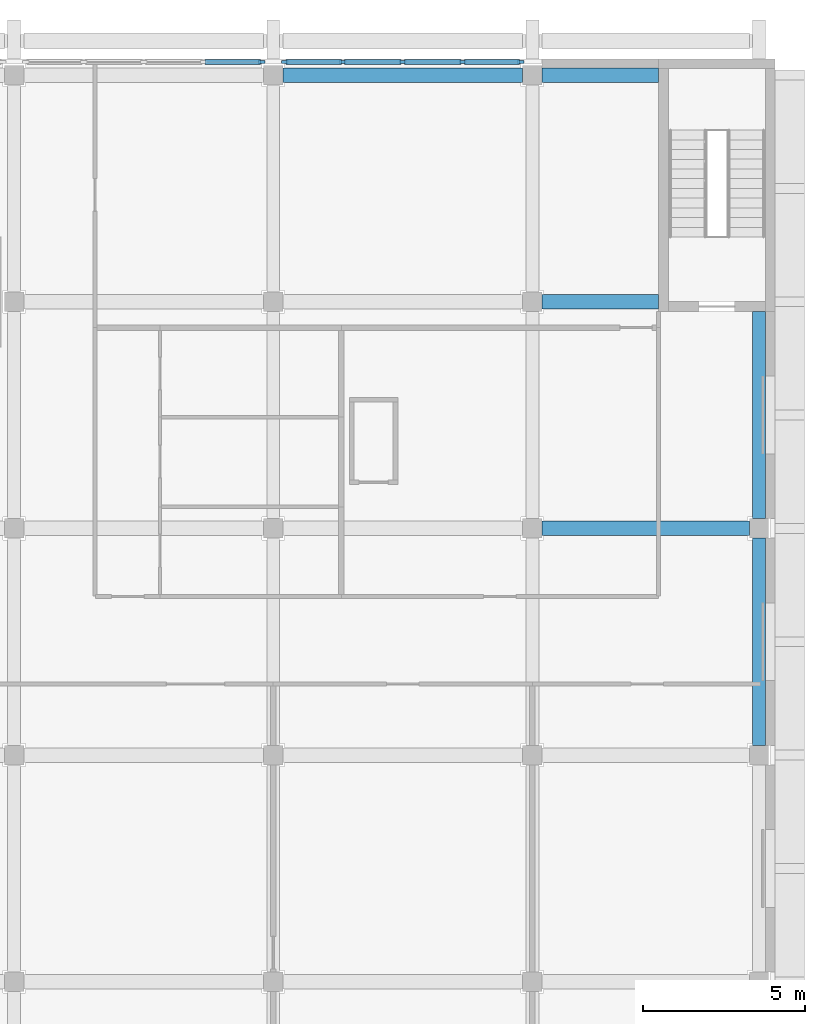
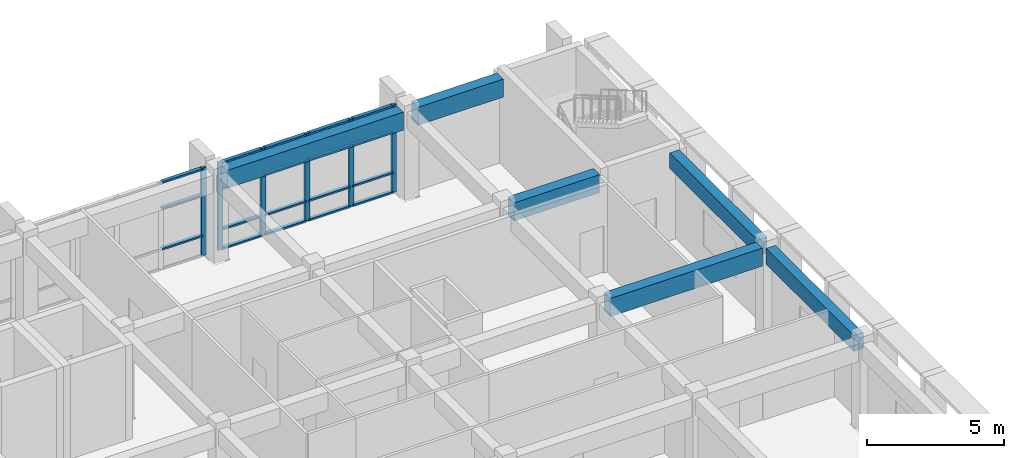
# One storey, part 21 of 43: 25 members, 6 beams, 2 elements without a shape of their own.
"""IFC4 building model written with IfcOpenShell, lengths in metres."""

from ifc_helpers import new_model, si_unit, direction, frame, origin, origin_2d, place, context, subcontext, project, spatial, rectangle, extrude, material, material_profile, profile_set, type_object, element, aggregate, save


model = new_model("IFC4")

# Units and contexts
model_context = context("Model", 3, precision=1e-05, world=origin(), true_north=direction((0.0, 1.0)))
body_context = subcontext(model_context, "Body", "Model", "MODEL_VIEW")
ifc_project = project(units=[si_unit("LENGTHUNIT", "METRE"), si_unit("AREAUNIT", "SQUARE_METRE"), si_unit("VOLUMEUNIT", "CUBIC_METRE"), si_unit("PLANEANGLEUNIT", "RADIAN"), si_unit("MASSUNIT", "GRAM", prefix="KILO")], contexts=[model_context])

# Site, building, storey
site_placement = place(None, origin())
site = spatial("IfcSite", under=ifc_project, at=site_placement, CompositionType="ELEMENT")
building_placement = place(site_placement, origin())
building = spatial("IfcBuilding", under=site, at=building_placement, Name="Elmora Arch Market Hall", CompositionType="ELEMENT")
storey_placement = place(building_placement, frame((0.0, 0.0, 10.199951171875)))
storey = spatial("IfcBuildingStorey", under=building, at=storey_placement, Name="L02", CompositionType="ELEMENT", Elevation=10.199951171875)

# Curtain wall, member
ifc_material_1 = material(Name="Aluminium", Category="aluminium")
curtain_wall_type = type_object("IfcCurtainWallType", Name="School front curtain wall", PredefinedType="NOTDEFINED", material=ifc_material_1)
curtain_wall_1_placement = place(storey_placement, origin())
curtain_wall_1 = element("IfcCurtainWall", 1, at=curtain_wall_1_placement, inside=storey, type_object=curtain_wall_type, Name="School street front L02 3", PredefinedType="NOTDEFINED")
ifc_material_2 = material(Name="Aluminium", Category="aluminium")
ifc_material_profile_1 = material_profile(ifc_material_2, rectangle(XDim=0.10009765625, YDim=0.199951171875, at=origin_2d()), Name="AL 100x200")
ifc_profile_set_1 = profile_set([ifc_material_profile_1], Name="Aluminium")
member_type_1 = type_object("IfcMemberType", Name="Mullion 100x200", PredefinedType="MULLION", material=ifc_profile_set_1)
member_1_placement = place(storey_placement, frame((118.14990234375, 165.89990234375, 0.0), z_axis=(0.0, 0.0, 1.0), x_axis=(0.0, 1.0, 0.0)))
member_1 = element("IfcMember", 2, at=member_1_placement, type_object=member_type_1, Name="CW5 mullion 5", PredefinedType="MULLION", context=body_context, shape_type="SweptSolid", body=[
    extrude(rectangle(XDim=0.10009765625, YDim=0.199951171875, at=origin_2d()), origin(), (0.0, 0.0, 1.0), 3.900146484375),
])

# Curtain wall, members
curtain_wall_2_placement = place(storey_placement, origin())
curtain_wall_2 = element("IfcCurtainWall", 3, at=curtain_wall_2_placement, inside=storey, type_object=curtain_wall_type, Name="School street front L02 4", PredefinedType="NOTDEFINED")
member_2_placement = place(storey_placement, frame((118.85009765625, 165.89990234375, 0.0), z_axis=(0.0, 0.0, 1.0), x_axis=(0.0, 1.0, 0.0)))
member_2 = element("IfcMember", 4, at=member_2_placement, type_object=member_type_1, Name="CW5 mullion 1", PredefinedType="MULLION", context=body_context, shape_type="SweptSolid", body=[
    extrude(rectangle(XDim=0.10009765625, YDim=0.199951171875, at=origin_2d()), origin(), (0.0, 0.0, 1.0), 3.900146484375),
])
member_3_placement = place(storey_placement, frame((120.64990234375, 165.89990234375, 0.0), z_axis=(0.0, 0.0, 1.0), x_axis=(0.0, 1.0, 0.0)))
member_3 = element("IfcMember", 5, at=member_3_placement, type_object=member_type_1, Name="CW5 mullion 2", PredefinedType="MULLION", context=body_context, shape_type="SweptSolid", body=[
    extrude(rectangle(XDim=0.10009765625, YDim=0.199951171875, at=origin_2d()), origin(), (0.0, 0.0, 1.0), 3.900146484375),
])
member_4_placement = place(storey_placement, frame((122.5, 165.89990234375, 0.0), z_axis=(0.0, 0.0, 1.0), x_axis=(0.0, 1.0, 0.0)))
member_4 = element("IfcMember", 6, at=member_4_placement, type_object=member_type_1, Name="CW5 mullion 3", PredefinedType="MULLION", context=body_context, shape_type="SweptSolid", body=[
    extrude(rectangle(XDim=0.10009765625, YDim=0.199951171875, at=origin_2d()), origin(), (0.0, 0.0, 1.0), 3.900146484375),
])
member_5_placement = place(storey_placement, frame((124.35009765625, 165.89990234375, 0.0), z_axis=(0.0, 0.0, 1.0), x_axis=(0.0, 1.0, 0.0)))
member_5 = element("IfcMember", 7, at=member_5_placement, type_object=member_type_1, Name="CW5 mullion 4", PredefinedType="MULLION", context=body_context, shape_type="SweptSolid", body=[
    extrude(rectangle(XDim=0.10009765625, YDim=0.199951171875, at=origin_2d()), origin(), (0.0, 0.0, 1.0), 3.900146484375),
])
member_6_placement = place(storey_placement, frame((126.14990234375, 165.89990234375, 0.0), z_axis=(0.0, 0.0, 1.0), x_axis=(0.0, 1.0, 0.0)))
member_6 = element("IfcMember", 8, at=member_6_placement, type_object=member_type_1, Name="CW5 mullion 5", PredefinedType="MULLION", context=body_context, shape_type="SweptSolid", body=[
    extrude(rectangle(XDim=0.10009765625, YDim=0.199951171875, at=origin_2d()), origin(), (0.0, 0.0, 1.0), 3.900146484375),
])

# Beams
ifc_material_3 = material(Name="Concrete C32/40", Category="concrete")
ifc_material_profile_2 = material_profile(ifc_material_3, rectangle(XDim=0.39990234375, YDim=0.699951171875, at=origin_2d()), Name="School beam 400x700")
ifc_profile_set_2 = profile_set([ifc_material_profile_2], Name="Concrete C32/40")
beam_type_1 = type_object("IfcBeamType", Name="School beam 400x700", PredefinedType="BEAM", material=ifc_profile_set_2)
for number, where, z_axis, x_axis, name in (
    (9, (133.5, 144.800048828125, 3.550048828125), (0.0, 1.0, 0.0), (-1.0, 0.0, 0.0), "School beam SY7 L02.3"),
    (10, (133.5, 151.800048828125, 3.550048828125), (0.0, 1.0, 0.0), (-1.0, 0.0, 0.0), "School beam SY7 L02.4"),
):
    element("IfcBeam", number, at=place(storey_placement, frame(where, z_axis=z_axis, x_axis=x_axis)), inside=storey, type_object=beam_type_1, Name=name, PredefinedType="BEAM", context=body_context, shape_type="SweptSolid", body=[
        extrude(rectangle(XDim=0.39990234375, YDim=0.699951171875, at=origin_2d()), origin(), (0.0, 0.0, 1.0), 6.39990234375),
    ])
ifc_material_4 = material(Name="Concrete C32/40", Category="concrete")
ifc_material_profile_3 = material_profile(ifc_material_4, rectangle(XDim=0.449951171875, YDim=0.800048828125, at=origin_2d()), Name="School girder 450x800")
ifc_profile_set_3 = profile_set([ifc_material_profile_3], Name="Concrete C32/40")
beam_type_2 = type_object("IfcBeamType", Name="School girder 450x800", PredefinedType="BEAM", material=ifc_profile_set_3)
beam_1_placement = place(storey_placement, frame((126.800048828125, 151.5, 3.5), z_axis=(1.0, 0.0, 0.0), x_axis=(0.0, 1.0, 0.0)))
element("IfcBeam", 11, at=beam_1_placement, inside=storey, type_object=beam_type_2, Name="School girder SX4 L02.6", PredefinedType="BEAM", context=body_context, shape_type="SweptSolid", body=[
    extrude(rectangle(XDim=0.449951171875, YDim=0.800048828125, at=origin_2d()), origin(), (0.0, 0.0, 1.0), 6.39990234375),
])
beam_2_placement = place(storey_placement, frame((126.800048828125, 158.5, 3.5), z_axis=(1.0, 0.0, 0.0), x_axis=(0.0, 1.0, 0.0)))
element("IfcBeam", 12, at=beam_2_placement, inside=storey, type_object=beam_type_2, Name="School girder SX5 L02.6", PredefinedType="BEAM", context=body_context, shape_type="SweptSolid", body=[
    extrude(rectangle(XDim=0.449951171875, YDim=0.800048828125, at=origin_2d()), origin(), (0.0, 0.0, 1.0), 3.599853515625),
])
beam_3_placement = place(storey_placement, frame((118.800048828125, 165.5, 3.5), z_axis=(1.0, 0.0, 0.0), x_axis=(0.0, 1.0, 0.0)))
element("IfcBeam", 13, at=beam_3_placement, inside=storey, type_object=beam_type_2, Name="School girder SX6 L02.5", PredefinedType="BEAM", context=body_context, shape_type="SweptSolid", body=[
    extrude(rectangle(XDim=0.449951171875, YDim=0.800048828125, at=origin_2d()), origin(), (0.0, 0.0, 1.0), 7.39990234375),
])
beam_4_placement = place(storey_placement, frame((126.800048828125, 165.5, 3.5), z_axis=(1.0, 0.0, 0.0), x_axis=(0.0, 1.0, 0.0)))
element("IfcBeam", 14, at=beam_4_placement, inside=storey, type_object=beam_type_2, Name="School girder SX6 L02.6", PredefinedType="BEAM", context=body_context, shape_type="SweptSolid", body=[
    extrude(rectangle(XDim=0.449951171875, YDim=0.800048828125, at=origin_2d()), origin(), (0.0, 0.0, 1.0), 3.599853515625),
])

# Member
ifc_material_5 = material(Name="Aluminium", Category="aluminium")
ifc_material_profile_4 = material_profile(ifc_material_5, rectangle(XDim=0.14990234375, YDim=0.074951171875, at=origin_2d()), Name="AL 150x75")
ifc_profile_set_4 = profile_set([ifc_material_profile_4], Name="Aluminium")
member_type_2 = type_object("IfcMemberType", Name="Transom 150x75", PredefinedType="USERDEFINED", material=ifc_profile_set_4)
member_7_placement = place(storey_placement, frame((116.39990234375, 165.89990234375, 0.900146484375), z_axis=(1.0, 0.0, 0.0), x_axis=(0.0, 1.0, 0.0)))
member_7 = element("IfcMember", 15, at=member_7_placement, type_object=member_type_2, Name="CW5 transom 4.2", ObjectType="TRANSOM", PredefinedType="USERDEFINED", context=body_context, shape_type="SweptSolid", body=[
    extrude(rectangle(XDim=0.14990234375, YDim=0.074951171875, at=origin_2d()), origin(), (0.0, 0.0, 1.0), 1.7001953125),
])

member_8_placement = place(storey_placement, frame((116.39990234375, 165.89990234375, 2.699951171875), z_axis=(1.0, 0.0, 0.0), x_axis=(0.0, 1.0, 0.0)))
member_8 = element("IfcMember", 16, at=member_8_placement, type_object=member_type_2, Name="CW5 transom 4.3", ObjectType="TRANSOM", PredefinedType="USERDEFINED", context=body_context, shape_type="SweptSolid", body=[
    extrude(rectangle(XDim=0.14990234375, YDim=0.074951171875, at=origin_2d()), origin(), (0.0, 0.0, 1.0), 1.7001953125),
])

member_9_placement = place(storey_placement, frame((116.39990234375, 165.89990234375, 3.862548828125), z_axis=(1.0, 0.0, 0.0), x_axis=(0.0, 1.0, 0.0)))
member_9 = element("IfcMember", 17, at=member_9_placement, type_object=member_type_2, Name="CW5 transom 4.4", ObjectType="TRANSOM", PredefinedType="USERDEFINED", context=body_context, shape_type="SweptSolid", body=[
    extrude(rectangle(XDim=0.14990234375, YDim=0.074951171875, at=origin_2d()), origin(), (0.0, 0.0, 1.0), 1.7001953125),
])

aggregate(curtain_wall_1, [member_1, member_7, member_8, member_9])

member_10_placement = place(storey_placement, frame((118.89990234375, 165.89990234375, 0.03759765625), z_axis=(1.0, 0.0, 0.0), x_axis=(0.0, 1.0, 0.0)))
member_10 = element("IfcMember", 18, at=member_10_placement, type_object=member_type_2, Name="CW5 transom 1.1", ObjectType="TRANSOM", PredefinedType="USERDEFINED", context=body_context, shape_type="SweptSolid", body=[
    extrude(rectangle(XDim=0.14990234375, YDim=0.074951171875, at=origin_2d()), origin(), (0.0, 0.0, 1.0), 1.7001953125),
])

member_11_placement = place(storey_placement, frame((118.89990234375, 165.89990234375, 0.900146484375), z_axis=(1.0, 0.0, 0.0), x_axis=(0.0, 1.0, 0.0)))
member_11 = element("IfcMember", 19, at=member_11_placement, type_object=member_type_2, Name="CW5 transom 1.2", ObjectType="TRANSOM", PredefinedType="USERDEFINED", context=body_context, shape_type="SweptSolid", body=[
    extrude(rectangle(XDim=0.14990234375, YDim=0.074951171875, at=origin_2d()), origin(), (0.0, 0.0, 1.0), 1.7001953125),
])

member_12_placement = place(storey_placement, frame((118.89990234375, 165.89990234375, 2.699951171875), z_axis=(1.0, 0.0, 0.0), x_axis=(0.0, 1.0, 0.0)))
member_12 = element("IfcMember", 20, at=member_12_placement, type_object=member_type_2, Name="CW5 transom 1.3", ObjectType="TRANSOM", PredefinedType="USERDEFINED", context=body_context, shape_type="SweptSolid", body=[
    extrude(rectangle(XDim=0.14990234375, YDim=0.074951171875, at=origin_2d()), origin(), (0.0, 0.0, 1.0), 1.7001953125),
])

member_13_placement = place(storey_placement, frame((118.89990234375, 165.89990234375, 3.862548828125), z_axis=(1.0, 0.0, 0.0), x_axis=(0.0, 1.0, 0.0)))
member_13 = element("IfcMember", 21, at=member_13_placement, type_object=member_type_2, Name="CW5 transom 1.4", ObjectType="TRANSOM", PredefinedType="USERDEFINED", context=body_context, shape_type="SweptSolid", body=[
    extrude(rectangle(XDim=0.14990234375, YDim=0.074951171875, at=origin_2d()), origin(), (0.0, 0.0, 1.0), 1.7001953125),
])

member_14_placement = place(storey_placement, frame((120.699951171875, 165.89990234375, 0.03759765625), z_axis=(1.0, 0.0, 0.0), x_axis=(0.0, 1.0, 0.0)))
member_14 = element("IfcMember", 22, at=member_14_placement, type_object=member_type_2, Name="CW5 transom 2.1", ObjectType="TRANSOM", PredefinedType="USERDEFINED", context=body_context, shape_type="SweptSolid", body=[
    extrude(rectangle(XDim=0.14990234375, YDim=0.074951171875, at=origin_2d()), origin(), (0.0, 0.0, 1.0), 1.75),
])

member_15_placement = place(storey_placement, frame((120.699951171875, 165.89990234375, 0.900146484375), z_axis=(1.0, 0.0, 0.0), x_axis=(0.0, 1.0, 0.0)))
member_15 = element("IfcMember", 23, at=member_15_placement, type_object=member_type_2, Name="CW5 transom 2.2", ObjectType="TRANSOM", PredefinedType="USERDEFINED", context=body_context, shape_type="SweptSolid", body=[
    extrude(rectangle(XDim=0.14990234375, YDim=0.074951171875, at=origin_2d()), origin(), (0.0, 0.0, 1.0), 1.75),
])

member_16_placement = place(storey_placement, frame((120.699951171875, 165.89990234375, 2.699951171875), z_axis=(1.0, 0.0, 0.0), x_axis=(0.0, 1.0, 0.0)))
member_16 = element("IfcMember", 24, at=member_16_placement, type_object=member_type_2, Name="CW5 transom 2.3", ObjectType="TRANSOM", PredefinedType="USERDEFINED", context=body_context, shape_type="SweptSolid", body=[
    extrude(rectangle(XDim=0.14990234375, YDim=0.074951171875, at=origin_2d()), origin(), (0.0, 0.0, 1.0), 1.75),
])

member_17_placement = place(storey_placement, frame((120.699951171875, 165.89990234375, 3.862548828125), z_axis=(1.0, 0.0, 0.0), x_axis=(0.0, 1.0, 0.0)))
member_17 = element("IfcMember", 25, at=member_17_placement, type_object=member_type_2, Name="CW5 transom 2.4", ObjectType="TRANSOM", PredefinedType="USERDEFINED", context=body_context, shape_type="SweptSolid", body=[
    extrude(rectangle(XDim=0.14990234375, YDim=0.074951171875, at=origin_2d()), origin(), (0.0, 0.0, 1.0), 1.75),
])

member_18_placement = place(storey_placement, frame((122.550048828125, 165.89990234375, 0.03759765625), z_axis=(1.0, 0.0, 0.0), x_axis=(0.0, 1.0, 0.0)))
member_18 = element("IfcMember", 26, at=member_18_placement, type_object=member_type_2, Name="CW5 transom 3.1", ObjectType="TRANSOM", PredefinedType="USERDEFINED", context=body_context, shape_type="SweptSolid", body=[
    extrude(rectangle(XDim=0.14990234375, YDim=0.074951171875, at=origin_2d()), origin(), (0.0, 0.0, 1.0), 1.75),
])

member_19_placement = place(storey_placement, frame((122.550048828125, 165.89990234375, 0.900146484375), z_axis=(1.0, 0.0, 0.0), x_axis=(0.0, 1.0, 0.0)))
member_19 = element("IfcMember", 27, at=member_19_placement, type_object=member_type_2, Name="CW5 transom 3.2", ObjectType="TRANSOM", PredefinedType="USERDEFINED", context=body_context, shape_type="SweptSolid", body=[
    extrude(rectangle(XDim=0.14990234375, YDim=0.074951171875, at=origin_2d()), origin(), (0.0, 0.0, 1.0), 1.75),
])

member_20_placement = place(storey_placement, frame((122.550048828125, 165.89990234375, 2.699951171875), z_axis=(1.0, 0.0, 0.0), x_axis=(0.0, 1.0, 0.0)))
member_20 = element("IfcMember", 28, at=member_20_placement, type_object=member_type_2, Name="CW5 transom 3.3", ObjectType="TRANSOM", PredefinedType="USERDEFINED", context=body_context, shape_type="SweptSolid", body=[
    extrude(rectangle(XDim=0.14990234375, YDim=0.074951171875, at=origin_2d()), origin(), (0.0, 0.0, 1.0), 1.75),
])

member_21_placement = place(storey_placement, frame((122.550048828125, 165.89990234375, 3.862548828125), z_axis=(1.0, 0.0, 0.0), x_axis=(0.0, 1.0, 0.0)))
member_21 = element("IfcMember", 29, at=member_21_placement, type_object=member_type_2, Name="CW5 transom 3.4", ObjectType="TRANSOM", PredefinedType="USERDEFINED", context=body_context, shape_type="SweptSolid", body=[
    extrude(rectangle(XDim=0.14990234375, YDim=0.074951171875, at=origin_2d()), origin(), (0.0, 0.0, 1.0), 1.75),
])

member_22_placement = place(storey_placement, frame((124.39990234375, 165.89990234375, 0.03759765625), z_axis=(1.0, 0.0, 0.0), x_axis=(0.0, 1.0, 0.0)))
member_22 = element("IfcMember", 30, at=member_22_placement, type_object=member_type_2, Name="CW5 transom 4.1", ObjectType="TRANSOM", PredefinedType="USERDEFINED", context=body_context, shape_type="SweptSolid", body=[
    extrude(rectangle(XDim=0.14990234375, YDim=0.074951171875, at=origin_2d()), origin(), (0.0, 0.0, 1.0), 1.7001953125),
])

member_23_placement = place(storey_placement, frame((124.39990234375, 165.89990234375, 0.900146484375), z_axis=(1.0, 0.0, 0.0), x_axis=(0.0, 1.0, 0.0)))
member_23 = element("IfcMember", 31, at=member_23_placement, type_object=member_type_2, Name="CW5 transom 4.2", ObjectType="TRANSOM", PredefinedType="USERDEFINED", context=body_context, shape_type="SweptSolid", body=[
    extrude(rectangle(XDim=0.14990234375, YDim=0.074951171875, at=origin_2d()), origin(), (0.0, 0.0, 1.0), 1.7001953125),
])

member_24_placement = place(storey_placement, frame((124.39990234375, 165.89990234375, 2.699951171875), z_axis=(1.0, 0.0, 0.0), x_axis=(0.0, 1.0, 0.0)))
member_24 = element("IfcMember", 32, at=member_24_placement, type_object=member_type_2, Name="CW5 transom 4.3", ObjectType="TRANSOM", PredefinedType="USERDEFINED", context=body_context, shape_type="SweptSolid", body=[
    extrude(rectangle(XDim=0.14990234375, YDim=0.074951171875, at=origin_2d()), origin(), (0.0, 0.0, 1.0), 1.7001953125),
])

member_25_placement = place(storey_placement, frame((124.39990234375, 165.89990234375, 3.862548828125), z_axis=(1.0, 0.0, 0.0), x_axis=(0.0, 1.0, 0.0)))
member_25 = element("IfcMember", 33, at=member_25_placement, type_object=member_type_2, Name="CW5 transom 4.4", ObjectType="TRANSOM", PredefinedType="USERDEFINED", context=body_context, shape_type="SweptSolid", body=[
    extrude(rectangle(XDim=0.14990234375, YDim=0.074951171875, at=origin_2d()), origin(), (0.0, 0.0, 1.0), 1.7001953125),
])

aggregate(curtain_wall_2, [member_2, member_3, member_4, member_5, member_6, member_10, member_11, member_12, member_13, member_14, member_15, member_16, member_17, member_18, member_19, member_20, member_21, member_22, member_23, member_24, member_25])

save(model, "model.ifc")
